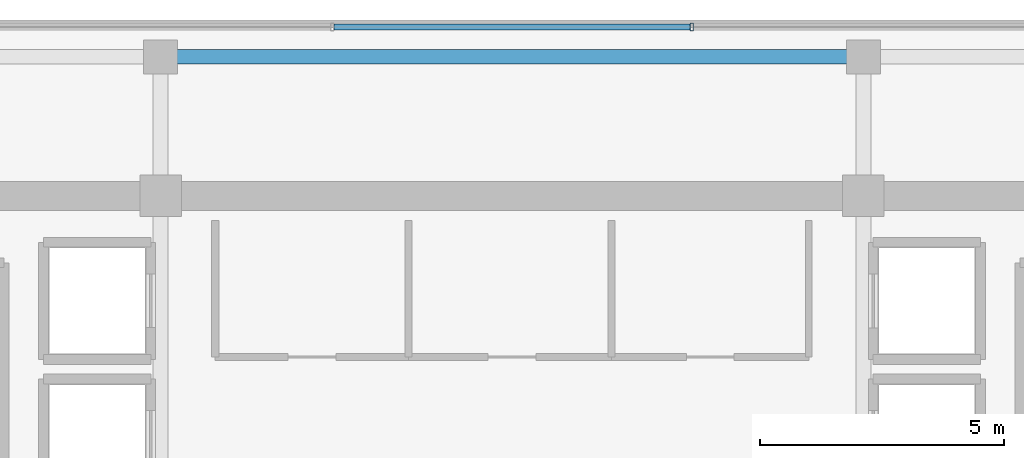
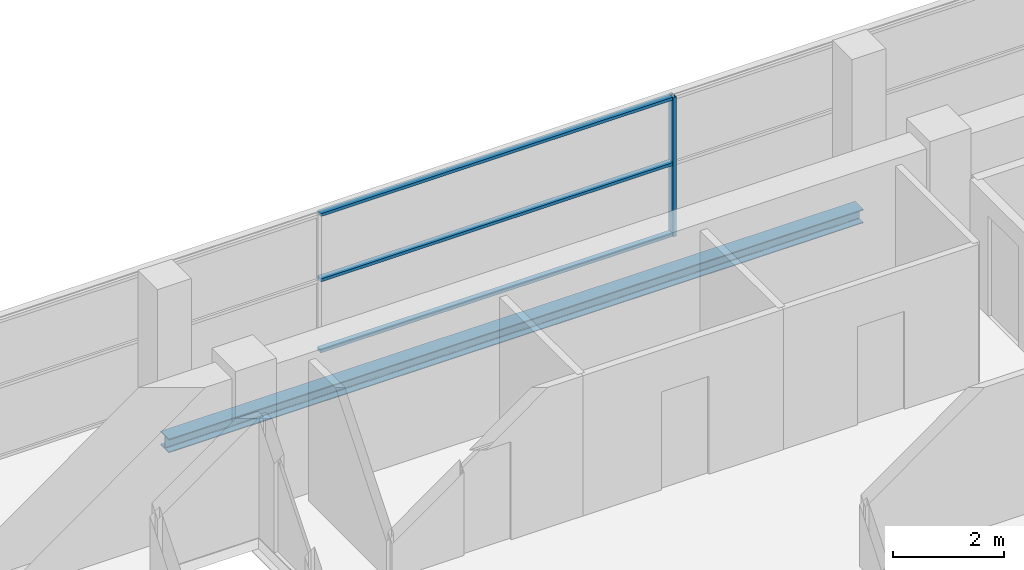
# One storey, part 19 of 29: 4 members, 1 beam, 1 element without a shape of its own.
"""IFC4 building model written with IfcOpenShell, lengths in metres."""

from ifc_helpers import new_model, si_unit, direction, frame, origin, origin_2d, place, context, subcontext, project, spatial, hollow_rectangle, i_section, extrude, source, transform, mapped, material, layer, layer_set, material_profile, profile_set, type_object, element, aggregate, save


model = new_model("IFC4")

# Units and contexts
model_context = context("Model", 3, precision=1e-05, world=origin(), true_north=direction((0.0, 1.0)))
body_context = subcontext(model_context, "Body", "Model", "MODEL_VIEW")
ifc_project = project(units=[si_unit("LENGTHUNIT", "METRE"), si_unit("AREAUNIT", "SQUARE_METRE"), si_unit("VOLUMEUNIT", "CUBIC_METRE"), si_unit("PLANEANGLEUNIT", "RADIAN"), si_unit("MASSUNIT", "GRAM", prefix="KILO")], contexts=[model_context])

# Site, building, storey
site_placement = place(None, origin())
site = spatial("IfcSite", under=ifc_project, at=site_placement, CompositionType="ELEMENT")
building_placement = place(site_placement, origin())
building = spatial("IfcBuilding", under=site, at=building_placement, Name="Zarnakvel Exchange Tower", CompositionType="ELEMENT")
storey_placement = place(building_placement, frame((0.0, 0.0, 258.39990234375)))
storey = spatial("IfcBuildingStorey", under=building, at=storey_placement, Name="L73", CompositionType="ELEMENT", Elevation=258.39990234375)

# Beam
ifc_material_1 = material(Name="Steel S355", Category="steel")
ifc_material_profile_1 = material_profile(ifc_material_1, i_section(OverallWidth=0.300048828125, OverallDepth=0.300048828125, WebThickness=0.010986328125, FlangeThickness=0.01904296875, FilletRadius=0.027099609375, at=origin_2d()))
ifc_profile_set_1 = profile_set([ifc_material_profile_1], Name="Steel S355")
beam_type = type_object("IfcBeamType", Name="SP-03", PredefinedType="SPANDREL", material=ifc_profile_set_1)
beam_placement = place(storey_placement, frame((-7.199951171875, 16.35009765625, -0.375), z_axis=(1.0, 0.0, 0.0), x_axis=(0.0, 1.0, 0.0)))
element("IfcBeam", 1, at=beam_placement, inside=storey, type_object=beam_type, Name="L73 Tower E-W Frame Beam", PredefinedType="SPANDREL", context=body_context, shape_type="SweptSolid", body=[
    extrude(i_section(OverallWidth=0.300048828125, OverallDepth=0.300048828125, WebThickness=0.010986328125, FlangeThickness=0.01904296875, FilletRadius=0.027099609375, at=origin_2d()), origin(), (0.0, 0.0, 1.0), 14.39990234375),
])

# Curtain wall, members
ifc_material_2 = material(Name="Architectural Bronze Anodised Aluminium", Category="aluminium")
ifc_layer = layer(ifc_material_2, 0.159912109375)
ifc_layer_set = layer_set([ifc_layer], Name="Architectural Bronze Anodised Aluminium")
curtain_wall_type = type_object("IfcCurtainWallType", Name="CW-06", PredefinedType="NOTDEFINED", material=ifc_layer_set)
curtain_wall_placement = place(storey_placement, origin())
curtain_wall = element("IfcCurtainWall", 2, at=curtain_wall_placement, inside=storey, type_object=curtain_wall_type, Name="L73 Curtain Wall CW-L73-N1 (CW-06)", PredefinedType="NOTDEFINED")
ifc_material_profile_2 = material_profile(ifc_material_2, hollow_rectangle(XDim=0.159912109375, YDim=0.06494140625, WallThickness=0.00390625, at=origin_2d()))
ifc_profile_set_2 = profile_set([ifc_material_profile_2], Name="Architectural Bronze Anodised Aluminium")
member_type_1 = type_object("IfcMemberType", Name="CWM-06", PredefinedType="MULLION", material=ifc_profile_set_2)
shared_shape_1 = source(origin(), body_context, "Body", "SweptSolid", [
    extrude(hollow_rectangle(XDim=0.159912109375, YDim=0.06494140625, WallThickness=0.00390625, at=origin_2d()), origin(), (0.0, 0.0, 1.0), 3.05517578125),
])
member_1_placement = place(storey_placement, frame((3.679931640625, 16.9599609375, 0.0), z_axis=(0.0, 0.0, 1.0), x_axis=(0.0, 1.0, 0.0)))
member_1 = element("IfcMember", 3, at=member_1_placement, type_object=member_type_1, Name="CW-06 mullion 4", PredefinedType="MULLION", context=body_context, shape_type="MappedRepresentation", body=[
    mapped(shared_shape_1, transform((0.0, 0.0, 0.0), x_axis=(1.0, 0.0, 0.0), y_axis=(0.0, 1.0, 0.0), z_axis=(0.0, 0.0, 1.0), scale=1.0)),
])
ifc_material_profile_3 = material_profile(ifc_material_2, hollow_rectangle(XDim=0.1298828125, YDim=0.06494140625, WallThickness=0.00390625, at=origin_2d()))
ifc_profile_set_3 = profile_set([ifc_material_profile_3], Name="Architectural Bronze Anodised Aluminium")
member_type_2 = type_object("IfcMemberType", Name="CWT-06", PredefinedType="USERDEFINED", material=ifc_profile_set_3)
shared_shape_2 = source(origin(), body_context, "Body", "SweptSolid", [
    extrude(hollow_rectangle(XDim=0.1298828125, YDim=0.06494140625, WallThickness=0.00390625, at=origin_2d()), origin(), (0.0, 0.0, 1.0), 7.294921875),
])
member_2_placement = place(storey_placement, frame((-3.6474609375, 16.9599609375, 0.03271484375), z_axis=(1.0, 0.0, 0.0), x_axis=(0.0, 1.0, 0.0)))
member_2 = element("IfcMember", 4, at=member_2_placement, type_object=member_type_2, Name="CW-06 transom 3.1", ObjectType="TRANSOM", PredefinedType="USERDEFINED", context=body_context, shape_type="MappedRepresentation", body=[
    mapped(shared_shape_2, transform((0.0, 0.0, 0.0), x_axis=(1.0, 0.0, 0.0), y_axis=(0.0, 1.0, 0.0), z_axis=(0.0, 0.0, 1.0), scale=1.0)),
])
member_3_placement = place(storey_placement, frame((-3.6474609375, 16.9599609375, 1.588623046875), z_axis=(1.0, 0.0, 0.0), x_axis=(0.0, 1.0, 0.0)))
member_3 = element("IfcMember", 5, at=member_3_placement, type_object=member_type_2, Name="CW-06 transom 3.2", ObjectType="TRANSOM", PredefinedType="USERDEFINED", context=body_context, shape_type="MappedRepresentation", body=[
    mapped(shared_shape_2, transform((0.0, 0.0, 0.0), x_axis=(1.0, 0.0, 0.0), y_axis=(0.0, 1.0, 0.0), z_axis=(0.0, 0.0, 1.0), scale=1.0)),
])
member_4_placement = place(storey_placement, frame((-3.6474609375, 16.9599609375, 3.022705078125), z_axis=(1.0, 0.0, 0.0), x_axis=(0.0, 1.0, 0.0)))
member_4 = element("IfcMember", 6, at=member_4_placement, type_object=member_type_2, Name="CW-06 transom 3.3", ObjectType="TRANSOM", PredefinedType="USERDEFINED", context=body_context, shape_type="MappedRepresentation", body=[
    mapped(shared_shape_2, transform((0.0, 0.0, 0.0), x_axis=(1.0, 0.0, 0.0), y_axis=(0.0, 1.0, 0.0), z_axis=(0.0, 0.0, 1.0), scale=1.0)),
])
aggregate(curtain_wall, [member_1, member_2, member_3, member_4])

save(model, "model.ifc")
